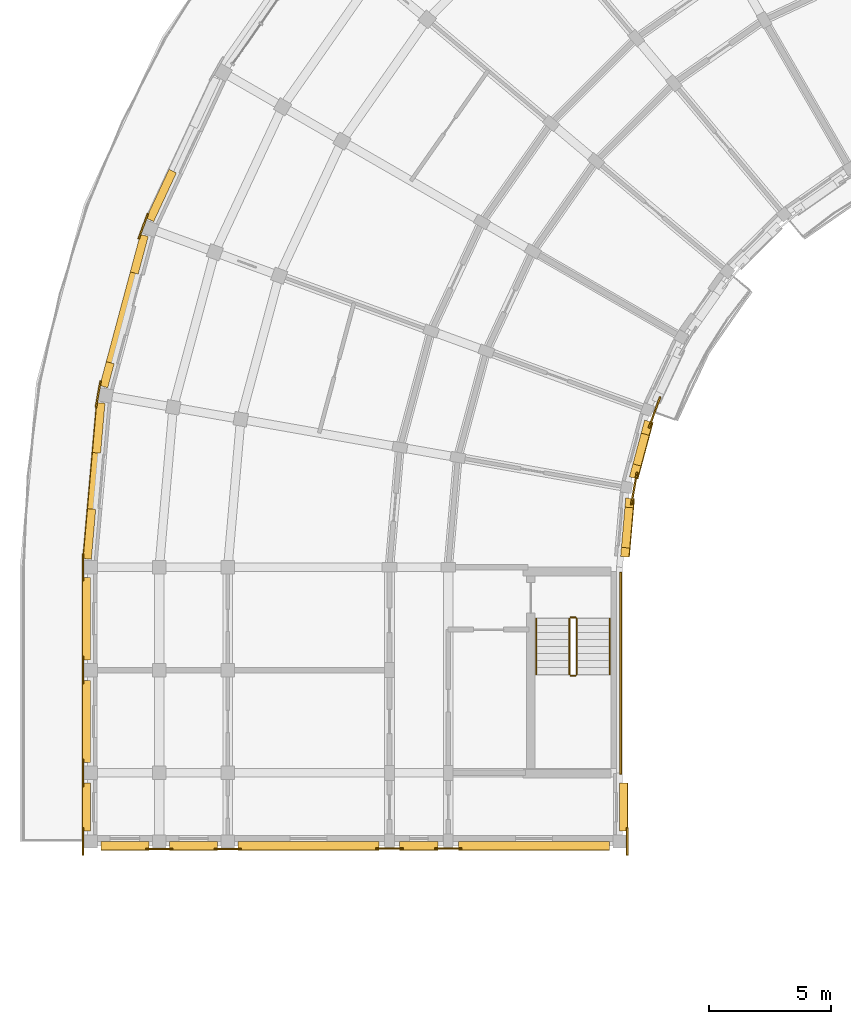
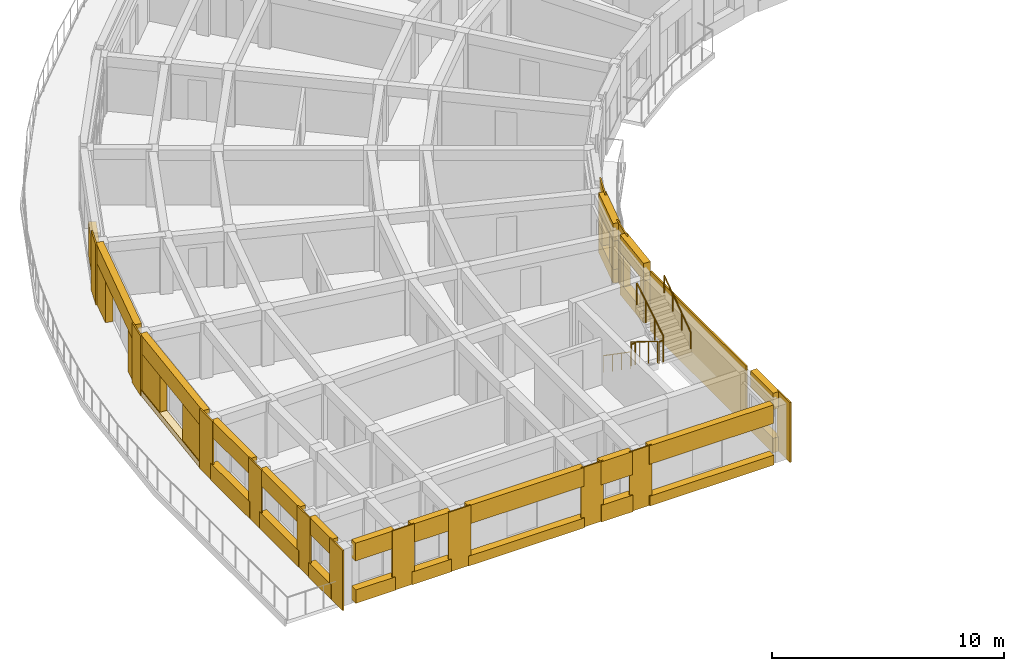
# One storey, part 18 of 23: 48 coverings, 6 railings.
"""IFC4 building model written with IfcOpenShell, lengths in metres."""

import ifcopenshell
import ifcopenshell.guid

model = None  # the IFC model being written
_history = None  # IfcOwnerHistory: only IFC2X3 demands one
_inside = {}  # id of a spatial element -> (the spatial element, [elements in it])
_under = {}  # id of a project, library or spatial element -> (it, [spatial elements below it])
_declared = {}  # id of a project -> (the project, [libraries it declares])
_typed = {}  # id of a type object -> (the type object, [elements of that type])
_made_of = {}  # id of a material, layer set ... -> (it, [elements and type objects made of it])


def new_model(schema):
    """Start an empty IFC model of exactly this schema.

    Asked for "IFC4X3", IfcOpenShell would pick the latest addendum, in which some entities
    have other attributes; the version numbers below select the first issue.
    IFC2X3 requires an IfcOwnerHistory on every rooted entity: one is made here for all.
    """
    global model, _history
    if schema == "IFC4X3":
        model = ifcopenshell.file(schema_version=(4, 3, 0, 0))
    else:
        model = ifcopenshell.file(schema=schema)
    _inside.clear()
    _under.clear()
    _declared.clear()
    _typed.clear()
    _made_of.clear()
    _history = None
    if model.schema == "IFC2X3":
        org = make("IfcOrganization", Name="unknown")
        user = make(
            "IfcPersonAndOrganization",
            ThePerson=make("IfcPerson", FamilyName="unknown"),
            TheOrganization=org,
        )
        app = make(
            "IfcApplication",
            ApplicationDeveloper=org,
            Version="unknown",
            ApplicationFullName="unknown",
            ApplicationIdentifier="unknown",
        )
        _history = make(
            "IfcOwnerHistory",
            OwningUser=user,
            OwningApplication=app,
            ChangeAction="ADDED",
            CreationDate=0,
        )
    return model


def make(cls, **values):
    """One entity of the class cls with the attributes given. An attribute that is None is left unset."""
    return model.create_entity(
        cls, **{name: value for name, value in values.items() if value is not None}
    )


def rooted(cls, **values):
    """An entity with a GlobalId (a new one), such as an element, a storey or a relation."""
    return make(cls, GlobalId=ifcopenshell.guid.new(), OwnerHistory=_history, **values)


def si_unit(unit_type, name, prefix=None):
    """IfcSIUnit, for example si_unit("LENGTHUNIT", "METRE", prefix="MILLI")."""
    return make("IfcSIUnit", UnitType=unit_type, Prefix=prefix, Name=name)


def assignment(units):
    """IfcUnitAssignment: the units of a project."""
    return None if units is None else make("IfcUnitAssignment", Units=units)


def point(xyz):
    """IfcCartesianPoint."""
    return None if xyz is None else make("IfcCartesianPoint", Coordinates=xyz)


def direction(xyz):
    """IfcDirection."""
    return None if xyz is None else make("IfcDirection", DirectionRatios=xyz)


def frame(location, z_axis=None, x_axis=None):
    """IfcAxis2Placement3D, a coordinate frame: its origin and axes. An axis left out is left unset."""
    return make(
        "IfcAxis2Placement3D",
        Location=point(location),
        Axis=direction(z_axis),
        RefDirection=direction(x_axis),
    )


def frame_2d(location, x_axis=None):
    """IfcAxis2Placement2D, a coordinate frame in the plane: its origin and x axis."""
    return make(
        "IfcAxis2Placement2D", Location=point(location), RefDirection=direction(x_axis)
    )


def origin():
    """The frame at (0, 0, 0) with its axes left unset."""
    return frame((0.0, 0.0, 0.0))


def origin_2d():
    """The frame at (0, 0) in the plane with its x axis left unset."""
    return frame_2d((0.0, 0.0))


def place(relative_to, where):
    """IfcLocalPlacement: puts the frame where relative to a parent placement (None: the world)."""
    return make(
        "IfcLocalPlacement", PlacementRelTo=relative_to, RelativePlacement=where
    )


def context(
    kind, dimensions, precision=None, world=None, true_north=None, identifier=None
):
    """IfcGeometricRepresentationContext, for example the 3D "Model" context."""
    return make(
        "IfcGeometricRepresentationContext",
        ContextIdentifier=identifier,
        ContextType=kind,
        CoordinateSpaceDimension=dimensions,
        Precision=precision,
        WorldCoordinateSystem=world,
        TrueNorth=true_north,
    )


def subcontext(parent, identifier, kind, view, scale=None):
    """IfcGeometricRepresentationSubContext, for example "Body" below "Model"."""
    return make(
        "IfcGeometricRepresentationSubContext",
        ContextIdentifier=identifier,
        ContextType=kind,
        ParentContext=parent,
        TargetScale=scale,
        TargetView=view,
    )


def project(units=None, contexts=None):
    """IfcProject with its units and contexts."""
    return rooted(
        "IfcProject",
        Name="project",
        RepresentationContexts=contexts,
        UnitsInContext=assignment(units),
    )


def spatial(cls, under=None, at=None, **own):
    """A site, building, storey or space (cls), placed at a placement, below another one or the project."""
    s = rooted(cls, ObjectPlacement=at, **own)
    if under is not None:
        _under.setdefault(under.id(), (under, []))[1].append(s)
    return s


def polyline(points):
    """IfcPolyline through the points."""
    return make("IfcPolyline", Points=[point(p) for p in points])


def profile(cls, at=None, kind="AREA", **sizes):
    """A parametric profile (cls). Its sizes go by their IFC names, for example OverallWidth=200.0."""
    return make(cls, ProfileType=kind, Position=at, **sizes)


def circle(**sizes):
    """IfcCircleProfileDef."""
    return profile("IfcCircleProfileDef", **sizes)


def outline(outer, holes=None, kind="AREA"):
    """IfcArbitraryClosedProfileDef: a profile drawn as a closed curve; with holes, ...WithVoids."""
    if holes is None:
        return make("IfcArbitraryClosedProfileDef", ProfileType=kind, OuterCurve=outer)
    return make(
        "IfcArbitraryProfileDefWithVoids",
        ProfileType=kind,
        OuterCurve=outer,
        InnerCurves=holes,
    )


def extrude(swept, where, along, depth):
    """IfcExtrudedAreaSolid: the profile swept, set in the frame where, extruded along a direction by depth."""
    return make(
        "IfcExtrudedAreaSolid",
        SweptArea=swept,
        Position=where,
        ExtrudedDirection=direction(along),
        Depth=depth,
    )


def shape(context_of_items, identifier, shape_type, items):
    """IfcShapeRepresentation: the items that make up one representation, for example the "Body"."""
    return make(
        "IfcShapeRepresentation",
        ContextOfItems=context_of_items,
        RepresentationIdentifier=identifier,
        RepresentationType=shape_type,
        Items=items,
    )


def material(Name=None, Category=None):
    """IfcMaterial."""
    return make("IfcMaterial", Name=Name, Category=Category)


def layer(
    of_material, thickness, ventilated=None, Name=None, Category=None, Priority=None
):
    """IfcMaterialLayer: one layer of a wall or slab, of a material (None: an air gap)."""
    return make(
        "IfcMaterialLayer",
        Material=of_material,
        LayerThickness=thickness,
        IsVentilated=ventilated,
        Name=Name,
        Category=Category,
        Priority=Priority,
    )


def layer_set(layers, Name=None):
    """IfcMaterialLayerSet."""
    return make("IfcMaterialLayerSet", MaterialLayers=layers, LayerSetName=Name)


def made_of(thing, what):
    """Note that an element or type object is made of a material, layer set ...; save() writes the relation."""
    if what is not None:
        _made_of.setdefault(what.id(), (what, []))[1].append(thing)
    return thing


def type_object(cls, material=None, **own):
    """A type object (cls), such as IfcWallType, which elements share."""
    return made_of(rooted(cls, **own), material)


def element(
    cls,
    number,
    at=None,
    inside=None,
    cuts=None,
    type_object=None,
    material=None,
    context=None,
    identifier="Body",
    shape_type=None,
    held_by="IfcProductDefinitionShape",
    body=None,
    shapes=None,
    **own,
):
    """One element of the class cls, such as IfcWall. Its Tag is "e" and its number.

    at: its placement. inside: the storey or other place that contains it. cuts: it is an
    opening in that element (IfcRelVoidsElement). A single representation is given by context,
    identifier, shape_type and body (its items); several are given by shapes. held_by: the class
    of the entity that holds the representations. save() writes the other relations.
    """
    e = rooted(cls, Tag="e%d" % number, ObjectPlacement=at, **own)
    if body is not None:
        shapes = [shape(context, identifier, shape_type, body)]
    if shapes is not None:
        e.Representation = make(held_by, Representations=shapes)
    if inside is not None:
        _inside.setdefault(inside.id(), (inside, []))[1].append(e)
    if cuts is not None:
        rooted(
            "IfcRelVoidsElement", RelatingBuildingElement=cuts, RelatedOpeningElement=e
        )
    if type_object is not None:
        _typed.setdefault(type_object.id(), (type_object, []))[1].append(e)
    return made_of(e, material)


def aggregate(whole, parts):
    """IfcRelAggregates: a whole, such as a stair, and the parts it consists of."""
    return rooted("IfcRelAggregates", RelatingObject=whole, RelatedObjects=parts)


def save(model, path):
    """Write the relations noted so far, then the file.

    IfcRelAggregates (storeys below a building ...), IfcRelContainedInSpatialStructure (elements
    in a storey), IfcRelDefinesByType, IfcRelAssociatesMaterial and IfcRelDeclares: one each for
    every whole, place, type object, material and project.
    """
    for whole, parts in _under.values():
        aggregate(whole, parts)
    for where, things in _inside.values():
        rooted(
            "IfcRelContainedInSpatialStructure",
            RelatedElements=things,
            RelatingStructure=where,
        )
    for kind, things in _typed.values():
        rooted("IfcRelDefinesByType", RelatedObjects=things, RelatingType=kind)
    for what, things in _made_of.values():
        rooted("IfcRelAssociatesMaterial", RelatedObjects=things, RelatingMaterial=what)
    for by, libraries in _declared.values():
        rooted("IfcRelDeclares", RelatingContext=by, RelatedDefinitions=libraries)
    model.write(path)


model = new_model("IFC4")

# Units and contexts
model_context = context("Model", 3, precision=1e-05, world=origin(), true_north=direction((0.0, 1.0)))
body_context = subcontext(model_context, "Body", "Model", "MODEL_VIEW")
ifc_project = project(units=[si_unit("LENGTHUNIT", "METRE"), si_unit("AREAUNIT", "SQUARE_METRE"), si_unit("VOLUMEUNIT", "CUBIC_METRE"), si_unit("PLANEANGLEUNIT", "RADIAN"), si_unit("MASSUNIT", "GRAM", prefix="KILO")], contexts=[model_context])

# Site, building, storey
site_placement = place(None, origin())
site = spatial("IfcSite", under=ifc_project, at=site_placement, CompositionType="ELEMENT")
building_placement = place(site_placement, origin())
building = spatial("IfcBuilding", under=site, at=building_placement, Name="Kiranvali Square Residences", CompositionType="ELEMENT")
storey_placement = place(building_placement, frame((0.0, 0.0, 43.35009765625)))
storey = spatial("IfcBuildingStorey", under=building, at=storey_placement, Name="L13", CompositionType="ELEMENT", Elevation=43.35009765625)

# Coverings
ifc_material_1 = material(Name="Honed Porbandar limestone ashlar facade cladding", Category="masonry")
ifc_layer_1 = layer(ifc_material_1, 0.3798828125)
ifc_layer_set_1 = layer_set([ifc_layer_1], Name="Honed Porbandar limestone ashlar facade cladding")
covering_type_1 = type_object("IfcCoveringType", Name="COV-CLAD-JAMB", PredefinedType="CLADDING", material=ifc_layer_set_1)
covering_1_placement = place(storey_placement, frame((0.0, 0.0, 0.4619140625)))
element("IfcCovering", 1, at=covering_1_placement, inside=storey, type_object=covering_type_1, Name="L13 deep limestone window jamb reveal A-L13-CRV-06.R", PredefinedType="CLADDING", context=body_context, shape_type="SweptSolid", body=[
    extrude(outline(polyline([(10.998291015625, 104.044189453125), (10.070068359375, 102.0537109375), (10.373291015625, 101.912353515625), (11.301513671875, 103.90283203125), (10.998291015625, 104.044189453125)])), origin(), (0.0, 0.0, 1.0), 1.75),
])
covering_2_placement = place(storey_placement, origin())
element("IfcCovering", 2, at=covering_2_placement, inside=storey, type_object=covering_type_1, Name="L13 deep limestone window jamb reveal A-L13-CRV-07.L", PredefinedType="CLADDING", context=body_context, shape_type="SweptSolid", body=[
    extrude(outline(polyline([(9.82861328125, 101.390380859375), (9.41796875, 99.857177734375), (9.740966796875, 99.770751953125), (10.15185546875, 101.3037109375), (9.82861328125, 101.390380859375)])), origin(), (0.0, 0.0, 1.0), 2.179931640625),
])
covering_3_placement = place(storey_placement, origin())
element("IfcCovering", 3, at=covering_3_placement, inside=storey, type_object=covering_type_1, Name="L13 deep limestone window jamb reveal A-L13-CRV-07.R", PredefinedType="CLADDING", context=body_context, shape_type="SweptSolid", body=[
    extrude(outline(polyline([(8.436279296875, 96.193603515625), (8.17431640625, 95.216064453125), (8.497314453125, 95.12939453125), (8.75927734375, 96.10693359375), (8.436279296875, 96.193603515625)])), origin(), (0.0, 0.0, 1.0), 2.179931640625),
])
covering_4_placement = place(storey_placement, frame((0.0, 0.0, 0.31201171875)))
element("IfcCovering", 4, at=covering_4_placement, inside=storey, type_object=covering_type_1, Name="L13 deep limestone window jamb reveal A-L13-CRV-08.L", PredefinedType="CLADDING", context=body_context, shape_type="SweptSolid", body=[
    extrude(outline(polyline([(8.0517578125, 94.520751953125), (7.873291015625, 92.482421875), (8.20654296875, 92.453369140625), (8.385009765625, 94.49169921875), (8.0517578125, 94.520751953125)])), origin(), (0.0, 0.0, 1.0), 1.89990234375),
])
covering_5_placement = place(storey_placement, frame((0.0, 0.0, 0.31201171875)))
element("IfcCovering", 5, at=covering_5_placement, inside=storey, type_object=covering_type_1, Name="L13 deep limestone window jamb reveal A-L13-CRV-08.R", PredefinedType="CLADDING", context=body_context, shape_type="SweptSolid", body=[
    extrude(outline(polyline([(7.6728515625, 90.191162109375), (7.49462890625, 88.153076171875), (7.827880859375, 88.123779296875), (8.006103515625, 90.162109375), (7.6728515625, 90.191162109375)])), origin(), (0.0, 0.0, 1.0), 1.89990234375),
])
covering_6_placement = place(storey_placement, frame((0.0, 0.0, 0.721923828125)))
element("IfcCovering", 6, at=covering_6_placement, inside=storey, type_object=covering_type_1, Name="L13 deep limestone window jamb reveal A-L13-GDN-07.L", PredefinedType="CLADDING", context=body_context, shape_type="SweptSolid", body=[
    extrude(outline(polyline([(30.42041015625, 93.804931640625), (30.2783203125, 93.27490234375), (30.6064453125, 93.187255859375), (30.748291015625, 93.717041015625), (30.42041015625, 93.804931640625)])), origin(), (0.0, 0.0, 1.0), 1.5),
])
covering_7_placement = place(storey_placement, frame((0.0, 0.0, 0.721923828125)))
element("IfcCovering", 7, at=covering_7_placement, inside=storey, type_object=covering_type_1, Name="L13 deep limestone window jamb reveal A-L13-GDN-07.R", PredefinedType="CLADDING", context=body_context, shape_type="SweptSolid", body=[
    extrude(outline(polyline([(29.94189453125, 92.019287109375), (29.800048828125, 91.489501953125), (30.1279296875, 91.401611328125), (30.269775390625, 91.931396484375), (29.94189453125, 92.019287109375)])), origin(), (0.0, 0.0, 1.0), 1.5),
])
covering_8_placement = place(storey_placement, frame((0.0, 0.0, 0.621826171875)))
element("IfcCovering", 8, at=covering_8_placement, inside=storey, type_object=covering_type_1, Name="L13 deep limestone window jamb reveal A-L13-GDN-08.L", PredefinedType="CLADDING", context=body_context, shape_type="SweptSolid", body=[
    extrude(outline(polyline([(29.647705078125, 90.626220703125), (29.615234375, 90.254150390625), (29.953369140625, 90.224609375), (29.986083984375, 90.5966796875), (29.647705078125, 90.626220703125)])), origin(), (0.0, 0.0, 1.0), 1.60009765625),
])
covering_9_placement = place(storey_placement, frame((0.0, 0.0, 0.621826171875)))
element("IfcCovering", 9, at=covering_9_placement, inside=storey, type_object=covering_type_1, Name="L13 deep limestone window jamb reveal A-L13-GDN-08.R", PredefinedType="CLADDING", context=body_context, shape_type="SweptSolid", body=[
    extrude(outline(polyline([(29.471435546875, 88.6103515625), (29.43896484375, 88.23828125), (29.777099609375, 88.208740234375), (29.8095703125, 88.580810546875), (29.471435546875, 88.6103515625)])), origin(), (0.0, 0.0, 1.0), 1.60009765625),
])
ifc_layer_2 = layer(ifc_material_1, 0.06494140625)
ifc_layer_set_2 = layer_set([ifc_layer_2], Name="Honed Porbandar limestone ashlar facade cladding")
covering_type_2 = type_object("IfcCoveringType", Name="COV-CLAD-PIER", PredefinedType="CLADDING", material=ifc_layer_set_2)
covering_10_placement = place(storey_placement, frame((0.0, 0.0, 0.0048828125)))
element("IfcCovering", 10, at=covering_10_placement, inside=storey, type_object=covering_type_2, Name="L13 Classical limestone corner pilaster CLAD-PR-A-L13-A07", PredefinedType="CLADDING", context=body_context, shape_type="SweptSolid", body=[
    extrude(outline(polyline([(10.10400390625, 102.25634765625), (9.724365234375, 101.21337890625), (9.78759765625, 101.1904296875), (10.167236328125, 102.2333984375), (10.10400390625, 102.25634765625)])), origin(), (0.0, 0.0, 1.0), 3.14013671875),
])
covering_11_placement = place(storey_placement, frame((0.0, 0.0, 0.0048828125)))
element("IfcCovering", 11, at=covering_11_placement, inside=storey, type_object=covering_type_2, Name="L13 Classical limestone corner pilaster CLAD-PR-A-L13-A08", PredefinedType="CLADDING", context=body_context, shape_type="SweptSolid", body=[
    extrude(outline(polyline([(8.17236328125, 95.421630859375), (7.9794921875, 94.328369140625), (8.046142578125, 94.316650390625), (8.23876953125, 95.40966796875), (8.17236328125, 95.421630859375)])), origin(), (0.0, 0.0, 1.0), 3.14013671875),
])
covering_12_placement = place(storey_placement, frame((0.0, 0.0, 0.0048828125)))
element("IfcCovering", 12, at=covering_12_placement, inside=storey, type_object=covering_type_2, Name="L13 Classical limestone corner pilaster CLAD-PR-A-L13-A09", PredefinedType="CLADDING", context=body_context, shape_type="SweptSolid", body=[
    extrude(outline(polyline([(7.45703125, 88.35498046875), (7.45703125, 87.2451171875), (7.5244140625, 87.2451171875), (7.5244140625, 88.35498046875), (7.45703125, 88.35498046875)])), origin(), (0.0, 0.0, 1.0), 3.14013671875),
])
covering_13_placement = place(storey_placement, frame((0.0, 0.0, 0.0048828125)))
element("IfcCovering", 13, at=covering_13_placement, inside=storey, type_object=covering_type_2, Name="Block A L13 Arm 2 stair limestone ashlar cladding", PredefinedType="CLADDING", context=body_context, shape_type="SweptSolid", body=[
    extrude(outline(polyline([(29.402099609375, 87.60009765625), (29.402099609375, 79.35009765625), (29.47998046875, 79.35009765625), (29.47998046875, 87.60009765625), (29.402099609375, 87.60009765625)])), origin(), (0.0, 0.0, 1.0), 3.14013671875),
])
ifc_layer_3 = layer(ifc_material_1, 0.050048828125)
ifc_layer_set_3 = layer_set([ifc_layer_3], Name="Honed Porbandar limestone ashlar facade cladding")
covering_type_3 = type_object("IfcCoveringType", Name="COV-CLAD-PIER-IN", PredefinedType="CLADDING", material=ifc_layer_set_3)
covering_14_placement = place(storey_placement, frame((0.0, 0.0, 0.0048828125)))
element("IfcCovering", 14, at=covering_14_placement, inside=storey, type_object=covering_type_3, Name="L13 Classical garden courtyard pilaster CLAD-PRIN-A-L13-A07", PredefinedType="CLADDING", context=body_context, shape_type="SweptSolid", body=[
    extrude(outline(polyline([(30.625244140625, 93.478271484375), (31.0869140625, 94.7470703125), (31.0234375, 94.77001953125), (30.561767578125, 93.50146484375), (30.625244140625, 93.478271484375)])), origin(), (0.0, 0.0, 1.0), 3.14013671875),
])
covering_15_placement = place(storey_placement, frame((0.0, 0.0, 0.0048828125)))
element("IfcCovering", 15, at=covering_15_placement, inside=storey, type_object=covering_type_3, Name="L13 Classical garden courtyard pilaster CLAD-PRIN-A-L13-A08", PredefinedType="CLADDING", context=body_context, shape_type="SweptSolid", body=[
    extrude(outline(polyline([(29.90625, 90.34033203125), (30.140625, 91.669677734375), (30.07421875, 91.681396484375), (29.839599609375, 90.35205078125), (29.90625, 90.34033203125)])), origin(), (0.0, 0.0, 1.0), 3.14013671875),
])
covering_16_placement = place(storey_placement, frame((0.0, 0.0, 0.0048828125)))
element("IfcCovering", 16, at=covering_16_placement, inside=storey, type_object=covering_type_3, Name="L13 Classical limestone pilaster casing CLAD-PRA2I-A-L13-V112", PredefinedType="CLADDING", context=body_context, shape_type="SweptSolid", body=[
    extrude(outline(polyline([(29.675537109375, 77.155029296875), (29.675537109375, 76.044921875), (29.742919921875, 76.044921875), (29.742919921875, 77.155029296875), (29.675537109375, 77.155029296875)])), origin(), (0.0, 0.0, 1.0), 3.14013671875),
])
ifc_layer_4 = layer(ifc_material_1, 0.054931640625)
ifc_layer_set_4 = layer_set([ifc_layer_4], Name="Honed Porbandar limestone ashlar facade cladding")
covering_type_4 = type_object("IfcCoveringType", Name="COV-CLAD-PIER-UP", PredefinedType="CLADDING", material=ifc_layer_set_4)
covering_17_placement = place(storey_placement, frame((0.0, 0.0, 0.0048828125)))
element("IfcCovering", 17, at=covering_17_placement, inside=storey, type_object=covering_type_4, Name="L13 Classical limestone pilaster casing CLAD-PR-A-L13-V42", PredefinedType="CLADDING", context=body_context, shape_type="SweptSolid", body=[
    extrude(outline(polyline([(7.45703125, 84.155029296875), (7.45703125, 83.044921875), (7.5244140625, 83.044921875), (7.5244140625, 84.155029296875), (7.45703125, 84.155029296875)])), origin(), (0.0, 0.0, 1.0), 3.14013671875),
])
covering_18_placement = place(storey_placement, frame((0.0, 0.0, 0.0048828125)))
element("IfcCovering", 18, at=covering_18_placement, inside=storey, type_object=covering_type_4, Name="L13 Classical limestone pilaster casing CLAD-PR-A-L13-V84", PredefinedType="CLADDING", context=body_context, shape_type="SweptSolid", body=[
    extrude(outline(polyline([(7.45703125, 79.955078125), (7.45703125, 78.844970703125), (7.5244140625, 78.844970703125), (7.5244140625, 79.955078125), (7.45703125, 79.955078125)])), origin(), (0.0, 0.0, 1.0), 3.14013671875),
])
covering_19_placement = place(storey_placement, frame((0.0, 0.0, 0.0048828125)))
element("IfcCovering", 19, at=covering_19_placement, inside=storey, type_object=covering_type_4, Name="L13 Classical limestone pilaster casing CLAD-PR-A-L13-V112", PredefinedType="CLADDING", context=body_context, shape_type="SweptSolid", body=[
    extrude(outline(polyline([(7.45703125, 77.155029296875), (7.45703125, 76.044921875), (7.5244140625, 76.044921875), (7.5244140625, 77.155029296875), (7.45703125, 77.155029296875)])), origin(), (0.0, 0.0, 1.0), 3.14013671875),
])
covering_20_placement = place(storey_placement, frame((0.0, 0.0, 0.0048828125)))
element("IfcCovering", 20, at=covering_20_placement, inside=storey, type_object=covering_type_4, Name="L13 Classical limestone pilaster casing CLAD-PRA2E-A-L13-R258", PredefinedType="CLADDING", context=body_context, shape_type="SweptSolid", body=[
    extrude(outline(polyline([(22.955078125, 76.349609375), (21.844970703125, 76.349609375), (21.844970703125, 76.281982421875), (22.955078125, 76.281982421875), (22.955078125, 76.349609375)])), origin(), (0.0, 0.0, 1.0), 3.14013671875),
])
covering_21_placement = place(storey_placement, frame((0.0, 0.0, 0.0048828125)))
element("IfcCovering", 21, at=covering_21_placement, inside=storey, type_object=covering_type_4, Name="L13 Classical limestone pilaster casing CLAD-PRA2E-A-L13-R282", PredefinedType="CLADDING", context=body_context, shape_type="SweptSolid", body=[
    extrude(outline(polyline([(20.554931640625, 76.349609375), (19.445068359375, 76.349609375), (19.445068359375, 76.281982421875), (20.554931640625, 76.281982421875), (20.554931640625, 76.349609375)])), origin(), (0.0, 0.0, 1.0), 3.14013671875),
])
covering_22_placement = place(storey_placement, frame((0.0, 0.0, 0.0048828125)))
element("IfcCovering", 22, at=covering_22_placement, inside=storey, type_object=covering_type_4, Name="L13 Classical limestone pilaster casing CLAD-PRA2E-A-L13-R348", PredefinedType="CLADDING", context=body_context, shape_type="SweptSolid", body=[
    extrude(outline(polyline([(13.955078125, 76.324462890625), (12.844970703125, 76.324462890625), (12.844970703125, 76.257080078125), (13.955078125, 76.257080078125), (13.955078125, 76.324462890625)])), origin(), (0.0, 0.0, 1.0), 3.14013671875),
])
covering_23_placement = place(storey_placement, frame((0.0, 0.0, 0.0048828125)))
element("IfcCovering", 23, at=covering_23_placement, inside=storey, type_object=covering_type_4, Name="L13 Classical limestone pilaster casing CLAD-PRA2E-A-L13-R376", PredefinedType="CLADDING", context=body_context, shape_type="SweptSolid", body=[
    extrude(outline(polyline([(11.155029296875, 76.324462890625), (10.044921875, 76.324462890625), (10.044921875, 76.257080078125), (11.155029296875, 76.257080078125), (11.155029296875, 76.324462890625)])), origin(), (0.0, 0.0, 1.0), 3.14013671875),
])
ifc_layer_5 = layer(ifc_material_1, 0.360107421875)
ifc_layer_set_5 = layer_set([ifc_layer_5], Name="Honed Porbandar limestone ashlar facade cladding")
covering_type_5 = type_object("IfcCoveringType", Name="COV-CLAD-WALL", PredefinedType="CLADDING", material=ifc_layer_set_5)
covering_24_placement = place(storey_placement, frame((0.0, 0.0, 2.179931640625)))
element("IfcCovering", 24, at=covering_24_placement, inside=storey, type_object=covering_type_5, Name="L13 light limestone spandrel lintel A-L13-CRV-07", PredefinedType="CLADDING", context=body_context, shape_type="SweptSolid", body=[
    extrude(outline(polyline([(9.82861328125, 101.390380859375), (8.17431640625, 95.216064453125), (8.497314453125, 95.12939453125), (10.15185546875, 101.3037109375), (9.82861328125, 101.390380859375)])), origin(), (0.0, 0.0, 1.0), 0.965087890625),
])
covering_25_placement = place(storey_placement, frame((0.0, 0.0, 2.2119140625)))
element("IfcCovering", 25, at=covering_25_placement, inside=storey, type_object=covering_type_5, Name="L13 light limestone spandrel lintel A-L13-CRV-08", PredefinedType="CLADDING", context=body_context, shape_type="SweptSolid", body=[
    extrude(outline(polyline([(8.0517578125, 94.520751953125), (7.49462890625, 88.153076171875), (7.827880859375, 88.123779296875), (8.385009765625, 94.49169921875), (8.0517578125, 94.520751953125)])), origin(), (0.0, 0.0, 1.0), 0.93310546875),
])
covering_26_placement = place(storey_placement, frame((0.0, 0.0, 2.221923828125)))
element("IfcCovering", 26, at=covering_26_placement, inside=storey, type_object=covering_type_5, Name="L13 light limestone spandrel lintel A-L13-GDN-07", PredefinedType="CLADDING", context=body_context, shape_type="SweptSolid", body=[
    extrude(outline(polyline([(30.42041015625, 93.804931640625), (29.800048828125, 91.489501953125), (30.1279296875, 91.401611328125), (30.748291015625, 93.717041015625), (30.42041015625, 93.804931640625)])), origin(), (0.0, 0.0, 1.0), 0.923095703125),
])
covering_27_placement = place(storey_placement, frame((0.0, 0.0, 2.221923828125)))
element("IfcCovering", 27, at=covering_27_placement, inside=storey, type_object=covering_type_5, Name="L13 light limestone spandrel lintel A-L13-GDN-08", PredefinedType="CLADDING", context=body_context, shape_type="SweptSolid", body=[
    extrude(outline(polyline([(29.647705078125, 90.626220703125), (29.43896484375, 88.23828125), (29.777099609375, 88.208740234375), (29.986083984375, 90.5966796875), (29.647705078125, 90.626220703125)])), origin(), (0.0, 0.0, 1.0), 0.923095703125),
])
covering_28_placement = place(storey_placement, frame((0.0, 0.0, 2.27978515625)))
element("IfcCovering", 28, at=covering_28_placement, inside=storey, type_object=covering_type_5, Name="L13 light limestone spandrel lintel A-L13-A2O-0", PredefinedType="CLADDING", context=body_context, shape_type="SweptSolid", body=[
    extrude(outline(polyline([(7.47509765625, 87.3798828125), (7.47509765625, 84.02001953125), (7.799560546875, 84.02001953125), (7.799560546875, 87.3798828125), (7.47509765625, 87.3798828125)])), origin(), (0.0, 0.0, 1.0), 0.865234375),
])
covering_29_placement = place(storey_placement, frame((0.0, 0.0, 2.27978515625)))
element("IfcCovering", 29, at=covering_29_placement, inside=storey, type_object=covering_type_5, Name="L13 light limestone spandrel lintel A-L13-A2O-1", PredefinedType="CLADDING", context=body_context, shape_type="SweptSolid", body=[
    extrude(outline(polyline([(7.47509765625, 83.179931640625), (7.47509765625, 79.820068359375), (7.799560546875, 79.820068359375), (7.799560546875, 83.179931640625), (7.47509765625, 83.179931640625)])), origin(), (0.0, 0.0, 1.0), 0.865234375),
])
covering_30_placement = place(storey_placement, frame((0.0, 0.0, 2.27978515625)))
element("IfcCovering", 30, at=covering_30_placement, inside=storey, type_object=covering_type_5, Name="L13 light limestone spandrel lintel A-L13-A2O-2", PredefinedType="CLADDING", context=body_context, shape_type="SweptSolid", body=[
    extrude(outline(polyline([(7.47509765625, 78.97998046875), (7.47509765625, 77.02001953125), (7.799560546875, 77.02001953125), (7.799560546875, 78.97998046875), (7.47509765625, 78.97998046875)])), origin(), (0.0, 0.0, 1.0), 0.865234375),
])
covering_31_placement = place(storey_placement, frame((0.0, 0.0, 2.27197265625)))
element("IfcCovering", 31, at=covering_31_placement, inside=storey, type_object=covering_type_5, Name="L13 light limestone spandrel lintel A-L13-A2I-0", PredefinedType="CLADDING", context=body_context, shape_type="SweptSolid", body=[
    extrude(outline(polyline([(29.400390625, 78.97998046875), (29.400390625, 77.02001953125), (29.719970703125, 77.02001953125), (29.719970703125, 78.97998046875), (29.400390625, 78.97998046875)])), origin(), (0.0, 0.0, 1.0), 0.873046875),
])
covering_32_placement = place(storey_placement, frame((0.0, 0.0, 2.171875)))
element("IfcCovering", 32, at=covering_32_placement, inside=storey, type_object=covering_type_5, Name="L13 light limestone spandrel lintel A-L13-A2END-0", PredefinedType="CLADDING", context=body_context, shape_type="SweptSolid", body=[
    extrude(outline(polyline([(28.97998046875, 76.599609375), (22.820068359375, 76.599609375), (22.820068359375, 76.260009765625), (28.97998046875, 76.260009765625), (28.97998046875, 76.599609375)])), origin(), (0.0, 0.0, 1.0), 0.97314453125),
])
covering_33_placement = place(storey_placement, frame((0.0, 0.0, 1.929931640625)))
element("IfcCovering", 33, at=covering_33_placement, inside=storey, type_object=covering_type_5, Name="L13 light limestone spandrel lintel A-L13-A2END-1", PredefinedType="CLADDING", context=body_context, shape_type="SweptSolid", body=[
    extrude(outline(polyline([(21.97998046875, 76.599609375), (20.419921875, 76.599609375), (20.419921875, 76.260009765625), (21.97998046875, 76.260009765625), (21.97998046875, 76.599609375)])), origin(), (0.0, 0.0, 1.0), 1.215087890625),
])
covering_34_placement = place(storey_placement, frame((0.0, 0.0, 2.171875)))
element("IfcCovering", 34, at=covering_34_placement, inside=storey, type_object=covering_type_5, Name="L13 light limestone spandrel lintel A-L13-A2END-2", PredefinedType="CLADDING", context=body_context, shape_type="SweptSolid", body=[
    extrude(outline(polyline([(19.580078125, 76.599609375), (13.820068359375, 76.599609375), (13.820068359375, 76.260009765625), (19.580078125, 76.260009765625), (19.580078125, 76.599609375)])), origin(), (0.0, 0.0, 1.0), 0.97314453125),
])
covering_35_placement = place(storey_placement, frame((0.0, 0.0, 2.171875)))
element("IfcCovering", 35, at=covering_35_placement, inside=storey, type_object=covering_type_5, Name="L13 light limestone spandrel lintel A-L13-A2END-3", PredefinedType="CLADDING", context=body_context, shape_type="SweptSolid", body=[
    extrude(outline(polyline([(12.97998046875, 76.599609375), (11.02001953125, 76.599609375), (11.02001953125, 76.260009765625), (12.97998046875, 76.260009765625), (12.97998046875, 76.599609375)])), origin(), (0.0, 0.0, 1.0), 0.97314453125),
])
covering_36_placement = place(storey_placement, frame((0.0, 0.0, 2.2119140625)))
element("IfcCovering", 36, at=covering_36_placement, inside=storey, type_object=covering_type_5, Name="L13 light limestone spandrel lintel A-L13-A2END-4", PredefinedType="CLADDING", context=body_context, shape_type="SweptSolid", body=[
    extrude(outline(polyline([(10.179931640625, 76.599609375), (8.219970703125, 76.599609375), (8.219970703125, 76.260009765625), (10.179931640625, 76.260009765625), (10.179931640625, 76.599609375)])), origin(), (0.0, 0.0, 1.0), 0.93310546875),
])
ifc_layer_6 = layer(ifc_material_1, 0.320068359375)
ifc_layer_set_6 = layer_set([ifc_layer_6], Name="Honed Porbandar limestone ashlar facade cladding")
covering_type_6 = type_object("IfcCoveringType", Name="COV-CLAD-WALL-UP", PredefinedType="CLADDING", material=ifc_layer_set_6)
covering_37_placement = place(storey_placement, frame((0.0, 0.0, 0.0048828125)))
element("IfcCovering", 37, at=covering_37_placement, inside=storey, type_object=covering_type_6, Name="L13 limestone window sill apron A-L13-CRV-08", PredefinedType="CLADDING", context=body_context, shape_type="SweptSolid", body=[
    extrude(outline(polyline([(8.021728515625, 94.5234375), (7.464599609375, 88.155517578125), (7.827880859375, 88.123779296875), (8.385009765625, 94.49169921875), (8.021728515625, 94.5234375)])), origin(), (0.0, 0.0, 1.0), 0.30712890625),
])
covering_38_placement = place(storey_placement, frame((0.0, 0.0, 0.0048828125)))
element("IfcCovering", 38, at=covering_38_placement, inside=storey, type_object=covering_type_6, Name="L13 limestone window sill apron A-L13-GDN-07", PredefinedType="CLADDING", context=body_context, shape_type="SweptSolid", body=[
    extrude(outline(polyline([(30.42041015625, 93.804931640625), (29.800048828125, 91.489501953125), (30.156982421875, 91.393798828125), (30.77734375, 93.709228515625), (30.42041015625, 93.804931640625)])), origin(), (0.0, 0.0, 1.0), 0.717041015625),
])
covering_39_placement = place(storey_placement, frame((0.0, 0.0, 0.0048828125)))
element("IfcCovering", 39, at=covering_39_placement, inside=storey, type_object=covering_type_6, Name="L13 limestone window sill apron A-L13-GDN-08", PredefinedType="CLADDING", context=body_context, shape_type="SweptSolid", body=[
    extrude(outline(polyline([(29.647705078125, 90.626220703125), (29.43896484375, 88.23828125), (29.806884765625, 88.2060546875), (30.015869140625, 90.593994140625), (29.647705078125, 90.626220703125)])), origin(), (0.0, 0.0, 1.0), 0.616943359375),
])
covering_40_placement = place(storey_placement, frame((0.0, 0.0, 0.0048828125)))
element("IfcCovering", 40, at=covering_40_placement, inside=storey, type_object=covering_type_6, Name="L13 limestone window sill apron A-L13-A2O-0", PredefinedType="CLADDING", context=body_context, shape_type="SweptSolid", body=[
    extrude(outline(polyline([(7.445068359375, 87.3798828125), (7.445068359375, 84.02001953125), (7.799560546875, 84.02001953125), (7.799560546875, 87.3798828125), (7.445068359375, 87.3798828125)])), origin(), (0.0, 0.0, 1.0), 0.875),
])
covering_41_placement = place(storey_placement, frame((0.0, 0.0, 0.0048828125)))
element("IfcCovering", 41, at=covering_41_placement, inside=storey, type_object=covering_type_6, Name="L13 limestone window sill apron A-L13-A2O-1", PredefinedType="CLADDING", context=body_context, shape_type="SweptSolid", body=[
    extrude(outline(polyline([(7.445068359375, 83.179931640625), (7.445068359375, 79.820068359375), (7.799560546875, 79.820068359375), (7.799560546875, 83.179931640625), (7.445068359375, 83.179931640625)])), origin(), (0.0, 0.0, 1.0), 0.875),
])
covering_42_placement = place(storey_placement, frame((0.0, 0.0, 0.0048828125)))
element("IfcCovering", 42, at=covering_42_placement, inside=storey, type_object=covering_type_6, Name="L13 limestone window sill apron A-L13-A2O-2", PredefinedType="CLADDING", context=body_context, shape_type="SweptSolid", body=[
    extrude(outline(polyline([(7.445068359375, 78.97998046875), (7.445068359375, 77.02001953125), (7.799560546875, 77.02001953125), (7.799560546875, 78.97998046875), (7.445068359375, 78.97998046875)])), origin(), (0.0, 0.0, 1.0), 0.77490234375),
])
covering_43_placement = place(storey_placement, frame((0.0, 0.0, 0.0048828125)))
element("IfcCovering", 43, at=covering_43_placement, inside=storey, type_object=covering_type_6, Name="L13 limestone window sill apron A-L13-A2I-0", PredefinedType="CLADDING", context=body_context, shape_type="SweptSolid", body=[
    extrude(outline(polyline([(29.400390625, 78.97998046875), (29.400390625, 77.02001953125), (29.75, 77.02001953125), (29.75, 78.97998046875), (29.400390625, 78.97998046875)])), origin(), (0.0, 0.0, 1.0), 0.76708984375),
])
covering_44_placement = place(storey_placement, frame((0.0, 0.0, 0.0048828125)))
element("IfcCovering", 44, at=covering_44_placement, inside=storey, type_object=covering_type_6, Name="L13 limestone window sill apron A-L13-A2END-0", PredefinedType="CLADDING", context=body_context, shape_type="SweptSolid", body=[
    extrude(outline(polyline([(28.97998046875, 76.599609375), (22.820068359375, 76.599609375), (22.820068359375, 76.22998046875), (28.97998046875, 76.22998046875), (28.97998046875, 76.599609375)])), origin(), (0.0, 0.0, 1.0), 0.51708984375),
])
covering_45_placement = place(storey_placement, frame((0.0, 0.0, 0.0048828125)))
element("IfcCovering", 45, at=covering_45_placement, inside=storey, type_object=covering_type_6, Name="L13 limestone window sill apron A-L13-A2END-1", PredefinedType="CLADDING", context=body_context, shape_type="SweptSolid", body=[
    extrude(outline(polyline([(21.97998046875, 76.599609375), (20.419921875, 76.599609375), (20.419921875, 76.22998046875), (21.97998046875, 76.22998046875), (21.97998046875, 76.599609375)])), origin(), (0.0, 0.0, 1.0), 0.875),
])
covering_46_placement = place(storey_placement, frame((0.0, 0.0, 0.0048828125)))
element("IfcCovering", 46, at=covering_46_placement, inside=storey, type_object=covering_type_6, Name="L13 limestone window sill apron A-L13-A2END-2", PredefinedType="CLADDING", context=body_context, shape_type="SweptSolid", body=[
    extrude(outline(polyline([(19.580078125, 76.599609375), (13.820068359375, 76.599609375), (13.820068359375, 76.22998046875), (19.580078125, 76.22998046875), (19.580078125, 76.599609375)])), origin(), (0.0, 0.0, 1.0), 0.51708984375),
])
covering_47_placement = place(storey_placement, frame((0.0, 0.0, 0.0048828125)))
element("IfcCovering", 47, at=covering_47_placement, inside=storey, type_object=covering_type_6, Name="L13 limestone window sill apron A-L13-A2END-3", PredefinedType="CLADDING", context=body_context, shape_type="SweptSolid", body=[
    extrude(outline(polyline([(12.97998046875, 76.599609375), (11.02001953125, 76.599609375), (11.02001953125, 76.22998046875), (12.97998046875, 76.22998046875), (12.97998046875, 76.599609375)])), origin(), (0.0, 0.0, 1.0), 0.6669921875),
])
covering_48_placement = place(storey_placement, frame((0.0, 0.0, 0.0048828125)))
element("IfcCovering", 48, at=covering_48_placement, inside=storey, type_object=covering_type_6, Name="L13 limestone window sill apron A-L13-A2END-4", PredefinedType="CLADDING", context=body_context, shape_type="SweptSolid", body=[
    extrude(outline(polyline([(10.179931640625, 76.599609375), (8.219970703125, 76.599609375), (8.219970703125, 76.22998046875), (10.179931640625, 76.22998046875), (10.179931640625, 76.599609375)])), origin(), (0.0, 0.0, 1.0), 0.70703125),
])

# Railings
ifc_material_2 = material(Name="Brushed stainless steel tubular handrail", Category="steel")
railing_type_1 = type_object("IfcRailingType", Name="RL-HANDRAIL-900", PredefinedType="HANDRAIL", material=ifc_material_2)
railing_1_placement = place(storey_placement, frame((26.0, 85.699951171875, 0.1748046875)))
element("IfcRailing", 49, at=railing_1_placement, inside=storey, type_object=railing_type_1, Name="L13 ST-A3 stair handrail 1", PredefinedType="HANDRAIL", context=body_context, shape_type="SweptSolid", body=[
    extrude(circle(Radius=0.02392578125, at=origin_2d()), frame((0.0, 0.0, 0.8759765625), z_axis=(0.0, -0.82274681792, 0.568408016835), x_axis=(1.0, 0.0, 0.0)), (0.0, 0.0, 1.0), 2.771240234375),
    extrude(circle(Radius=0.02099609375, at=origin_2d()), origin(), (0.0, 0.0, 1.0), 0.851806640625),
    extrude(circle(Radius=0.02099609375, at=origin_2d()), frame((0.0, -0.760009765625, 0.525146484375)), (0.0, 0.0, 1.0), 0.851806640625),
    extrude(circle(Radius=0.02099609375, at=origin_2d()), frame((0.0, -1.52001953125, 1.050048828125)), (0.0, 0.0, 1.0), 0.851806640625),
    extrude(circle(Radius=0.02099609375, at=origin_2d()), frame((0.0, -2.280029296875, 1.5751953125)), (0.0, 0.0, 1.0), 0.851806640625),
])
railing_2_placement = place(storey_placement, frame((29.0, 83.419921875, 1.75)))
element("IfcRailing", 50, at=railing_2_placement, inside=storey, type_object=railing_type_1, Name="L13 ST-A3 stair handrail 2", PredefinedType="HANDRAIL", context=body_context, shape_type="SweptSolid", body=[
    extrude(circle(Radius=0.02392578125, at=origin_2d()), frame((0.0, 0.0, 0.8759765625), z_axis=(0.0, 0.82278801735, 0.568348377763), x_axis=(-1.0, 0.0, 0.0)), (0.0, 0.0, 1.0), 2.77099609375),
    extrude(circle(Radius=0.02099609375, at=origin_2d()), origin(), (0.0, 0.0, 1.0), 0.851806640625),
    extrude(circle(Radius=0.02099609375, at=origin_2d()), frame((0.0, 0.760009765625, 0.52490234375)), (0.0, 0.0, 1.0), 0.851806640625),
    extrude(circle(Radius=0.02099609375, at=origin_2d()), frame((0.0, 1.52001953125, 1.050048828125)), (0.0, 0.0, 1.0), 0.851806640625),
    extrude(circle(Radius=0.02099609375, at=origin_2d()), frame((0.0, 2.280029296875, 1.574951171875)), (0.0, 0.0, 1.0), 0.851806640625),
])
ifc_material_3 = material(Name="Powder-coated architectural bronze balustrade", Category="steel")
railing_type_2 = type_object("IfcRailingType", Name="RL-ST-GUARD-1200", PredefinedType="GUARDRAIL", material=ifc_material_3)
railing_3_placement = place(storey_placement, frame((27.35009765625, 85.699951171875, 0.1748046875)))
element("IfcRailing", 51, at=railing_3_placement, inside=storey, type_object=railing_type_2, Name="L13 ST-A3 stair guard 1", PredefinedType="GUARDRAIL", context=body_context, shape_type="SweptSolid", body=[
    extrude(circle(Radius=0.02392578125, at=origin_2d()), frame((0.0, 0.0, 1.1259765625), z_axis=(0.0, -0.852149810458, 0.523297908018), x_axis=(1.0, 0.0, 0.0)), (0.0, 0.0, 1.0), 2.675537109375),
    extrude(circle(Radius=0.02099609375, at=origin_2d()), origin(), (0.0, 0.0, 1.0), 1.101806640625),
    extrude(circle(Radius=0.02099609375, at=origin_2d()), frame((0.0, -0.760009765625, 0.466796875)), (0.0, 0.0, 1.0), 1.101806640625),
    extrude(circle(Radius=0.02099609375, at=origin_2d()), frame((0.0, -1.52001953125, 0.933349609375)), (0.0, 0.0, 1.0), 1.101806640625),
    extrude(circle(Radius=0.02099609375, at=origin_2d()), frame((0.0, -2.280029296875, 1.400146484375)), (0.0, 0.0, 1.0), 1.101806640625),
])
railing_4_placement = place(storey_placement, frame((27.39990234375, 83.3701171875, 1.574951171875)))
element("IfcRailing", 52, at=railing_4_placement, inside=storey, type_object=railing_type_2, Name="L13 ST-A3 stair guard 2", PredefinedType="GUARDRAIL", context=body_context, shape_type="SweptSolid", body=[
    extrude(circle(Radius=0.02392578125, at=origin_2d()), frame((0.0, 0.0, 1.1259765625), z_axis=(1.0, 0.0, 0.0), x_axis=(0.0, 1.0, 0.0)), (0.0, 0.0, 1.0), 0.2001953125),
    extrude(circle(Radius=0.02099609375, at=origin_2d()), origin(), (0.0, 0.0, 1.0), 1.101806640625),
    extrude(circle(Radius=0.02099609375, at=origin_2d()), frame((0.2001953125, 0.0, 0.0)), (0.0, 0.0, 1.0), 1.101806640625),
])
railing_5_placement = place(storey_placement, frame((27.64990234375, 83.419921875, 1.75)))
element("IfcRailing", 53, at=railing_5_placement, inside=storey, type_object=railing_type_2, Name="L13 ST-A3 stair guard 3", PredefinedType="GUARDRAIL", context=body_context, shape_type="SweptSolid", body=[
    extrude(circle(Radius=0.02392578125, at=origin_2d()), frame((0.0, 0.0, 1.1259765625), z_axis=(0.0, 0.852190499154, 0.523231643875), x_axis=(-1.0, 0.0, 0.0)), (0.0, 0.0, 1.0), 2.675537109375),
    extrude(circle(Radius=0.02099609375, at=origin_2d()), origin(), (0.0, 0.0, 1.0), 1.101806640625),
    extrude(circle(Radius=0.02099609375, at=origin_2d()), frame((0.0, 0.760009765625, 0.466552734375)), (0.0, 0.0, 1.0), 1.101806640625),
    extrude(circle(Radius=0.02099609375, at=origin_2d()), frame((0.0, 1.52001953125, 0.933349609375)), (0.0, 0.0, 1.0), 1.101806640625),
    extrude(circle(Radius=0.02099609375, at=origin_2d()), frame((0.0, 2.280029296875, 1.39990234375)), (0.0, 0.0, 1.0), 1.101806640625),
])
railing_6_placement = place(storey_placement, frame((27.39990234375, 85.75, 0.0)))
element("IfcRailing", 54, at=railing_6_placement, inside=storey, type_object=railing_type_2, Name="L13 ST-A3 stair guard 4", PredefinedType="GUARDRAIL", context=body_context, shape_type="SweptSolid", body=[
    extrude(circle(Radius=0.02392578125, at=origin_2d()), frame((0.0, 0.0, 1.1259765625), z_axis=(1.0, 0.0, 0.0), x_axis=(0.0, 1.0, 0.0)), (0.0, 0.0, 1.0), 0.2001953125),
    extrude(circle(Radius=0.02099609375, at=origin_2d()), origin(), (0.0, 0.0, 1.0), 1.101806640625),
    extrude(circle(Radius=0.02099609375, at=origin_2d()), frame((0.2001953125, 0.0, 0.0)), (0.0, 0.0, 1.0), 1.101806640625),
])

save(model, "model.ifc")
